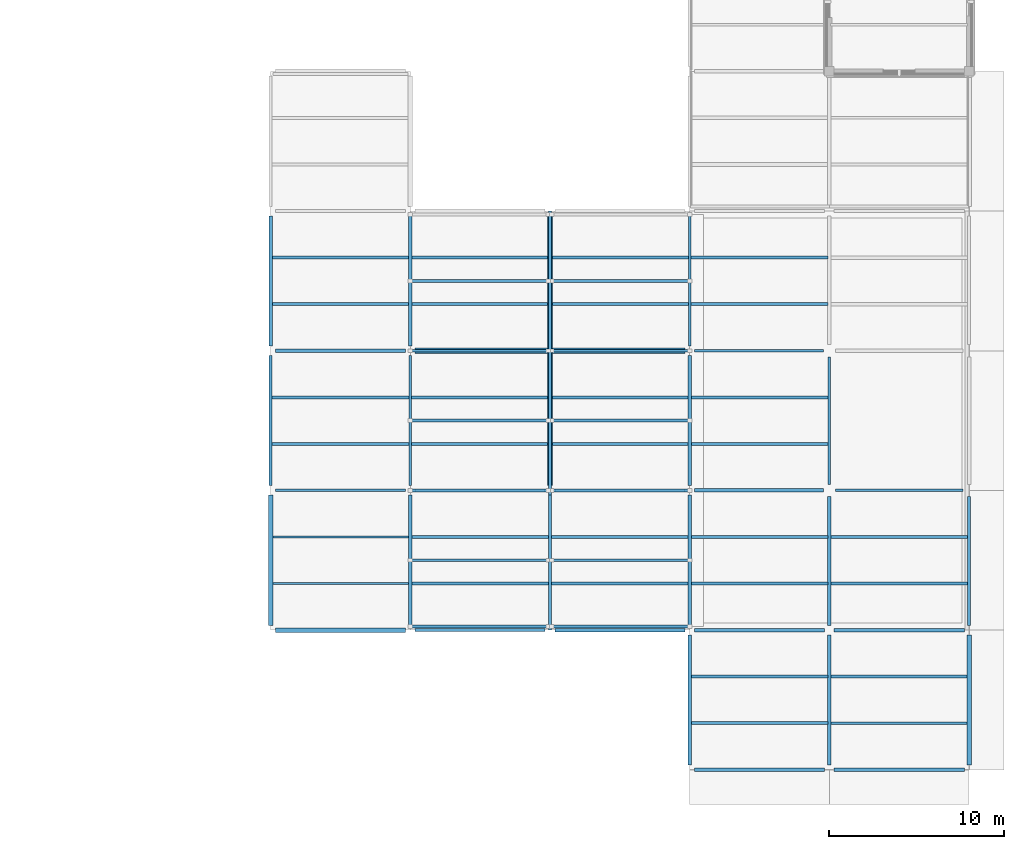
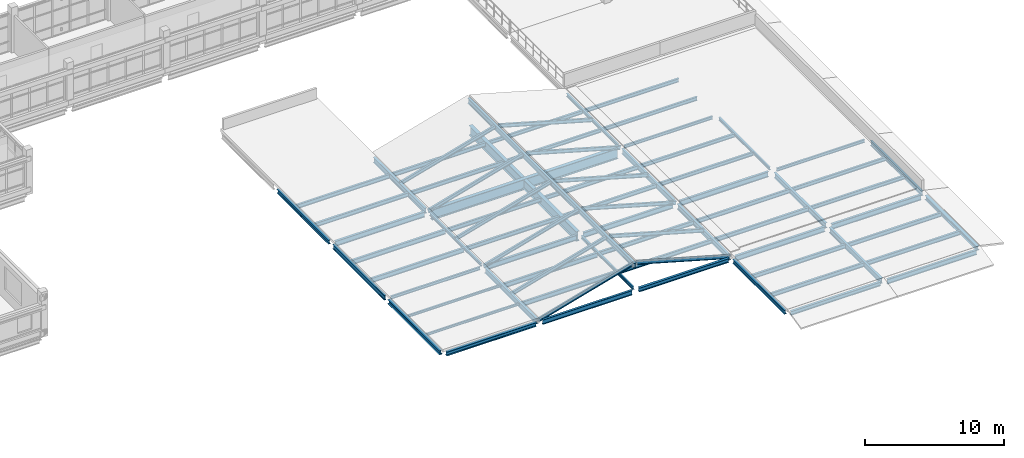
# One storey, part 34 of 92: 63 beams, 12 members.
"""IFC4 building model written with IfcOpenShell, lengths in metres."""

from ifc_helpers import new_model, si_unit, derived_unit, direction, frame, origin, origin_2d, place, context, subcontext, project, spatial, i_section, extrude, material, material_profile, profile_set, type_object, element, save


model = new_model("IFC4")

# Units and contexts
model_context = context("Model", 3, precision=1e-05, world=origin(), true_north=direction((0.0, 1.0)))
body_context = subcontext(model_context, "Body", "Model", "MODEL_VIEW")
ifc_project = project(units=[si_unit("LENGTHUNIT", "METRE"), si_unit("AREAUNIT", "SQUARE_METRE"), si_unit("VOLUMEUNIT", "CUBIC_METRE"), si_unit("PLANEANGLEUNIT", "RADIAN"), si_unit("MASSUNIT", "GRAM", prefix="KILO"), derived_unit("THERMALTRANSMITTANCEUNIT", [(si_unit("MASSUNIT", "GRAM", prefix="KILO"), 1), (si_unit("TIMEUNIT", "SECOND"), -3), (si_unit("THERMODYNAMICTEMPERATUREUNIT", "KELVIN"), -1)])], contexts=[model_context])

# Site, building, storey
site_placement = place(None, origin())
site = spatial("IfcSite", under=ifc_project, at=site_placement, CompositionType="ELEMENT")
building_placement = place(site_placement, origin())
building = spatial("IfcBuilding", under=site, at=building_placement, Name="Veyamyaing Civic Hall", CompositionType="ELEMENT")
storey_placement = place(building_placement, frame((0.0, 0.0, 17.820068359375)))
storey = spatial("IfcBuildingStorey", under=building, at=storey_placement, Name="L04", CompositionType="ELEMENT", Elevation=17.820068359375)

# Beams
ifc_material = material(Name="Steel ASTM A992", Category="steel")
ifc_material_profile_1 = material_profile(ifc_material, i_section(OverallWidth=0.303955078125, OverallDepth=0.923095703125, WebThickness=0.018310546875, FlangeThickness=0.030029296875, FilletRadius=0.01806640625, at=origin_2d()), Name="W920X271")
ifc_profile_set_1 = profile_set([ifc_material_profile_1], Name="Steel ASTM A992")
beam_type_1 = type_object("IfcBeamType", Name="B-01", PredefinedType="BEAM", material=ifc_profile_set_1)
beam_1_placement = place(storey_placement, frame((144.27490234375, 24.0, -0.696533203125), z_axis=(1.0, 0.0, 0.0), x_axis=(0.0, 1.0, 0.0)))
element("IfcBeam", 1, at=beam_1_placement, inside=storey, type_object=beam_type_1, Name="Girder B-01 L04 Grid D 19-21", PredefinedType="BEAM", context=body_context, shape_type="SweptSolid", body=[
    extrude(i_section(OverallWidth=0.303955078125, OverallDepth=0.923095703125, WebThickness=0.018310546875, FlangeThickness=0.030029296875, FilletRadius=0.01806640625, at=origin_2d()), origin(), (0.0, 0.0, 1.0), 15.4501953125),
])
ifc_material_profile_2 = material_profile(ifc_material, i_section(OverallWidth=0.2939453125, OverallDepth=0.85107421875, WebThickness=0.01611328125, FlangeThickness=0.02685546875, FilletRadius=0.01611328125, at=origin_2d()), Name="W840X226")
ifc_profile_set_2 = profile_set([ifc_material_profile_2], Name="Steel ASTM A992")
beam_type_2 = type_object("IfcBeamType", Name="B-02", PredefinedType="BEAM", material=ifc_profile_set_2)
beam_2_placement = place(storey_placement, frame((152.0, 16.27490234375, -0.66064453125), z_axis=(0.0, 1.0, 0.0), x_axis=(-1.0, 0.0, 0.0)))
element("IfcBeam", 2, at=beam_2_placement, inside=storey, type_object=beam_type_2, Name="Girder B-02 L04 Grid 20 C-E", PredefinedType="BEAM", context=body_context, shape_type="SweptSolid", body=[
    extrude(i_section(OverallWidth=0.2939453125, OverallDepth=0.85107421875, WebThickness=0.01611328125, FlangeThickness=0.02685546875, FilletRadius=0.01611328125, at=origin_2d()), origin(), (0.0, 0.0, 1.0), 15.4501953125),
])
ifc_material_profile_3 = material_profile(ifc_material, i_section(OverallWidth=0.19189453125, OverallDepth=0.462890625, WebThickness=0.010498046875, FlangeThickness=0.017578125, FilletRadius=0.010009765625, at=origin_2d()), Name="W460X89")
ifc_profile_set_3 = profile_set([ifc_material_profile_3], Name="Steel ASTM A992")
beam_type_3 = type_object("IfcBeamType", Name="B-08", PredefinedType="BEAM", material=ifc_profile_set_3)
for number, where, z_axis, x_axis, name in (
    (3, (144.27490234375, 16.0, -0.466552734375), (1.0, 0.0, 0.0), (0.0, 1.0, 0.0), "Girder B-08 L04 Grid C 19-20"),
    (4, (136.27490234375, 24.0, -0.4716796875), (1.0, 0.0, 0.0), (0.0, 1.0, 0.0), "Girder B-08 L04 Grid D 18-19"),
    (5, (144.0, 24.27490234375, -0.4716796875), (0.0, 1.0, 0.0), (-1.0, 0.0, 0.0), "Girder B-08 L04 Grid 19 D-E"),
    (6, (160.0, 8.27490234375, -0.4716796875), (0.0, 1.0, 0.0), (-1.0, 0.0, 0.0), "Girder B-08 L04 Grid 21 B-C"),
    (7, (168.0, 0.27490234375, -0.4716796875), (0.0, 1.0, 0.0), (-1.0, 0.0, 0.0), "Girder B-08 L04 Grid 22 A-B"),
):
    element("IfcBeam", number, at=place(storey_placement, frame(where, z_axis=z_axis, x_axis=x_axis)), inside=storey, type_object=beam_type_3, Name=name, PredefinedType="BEAM", context=body_context, shape_type="SweptSolid", body=[
        extrude(i_section(OverallWidth=0.19189453125, OverallDepth=0.462890625, WebThickness=0.010498046875, FlangeThickness=0.017578125, FilletRadius=0.010009765625, at=origin_2d()), origin(), (0.0, 0.0, 1.0), 7.4501953125),
    ])
ifc_material_profile_4 = material_profile(ifc_material, i_section(OverallWidth=0.18994140625, OverallDepth=0.45703125, WebThickness=0.009033203125, FlangeThickness=0.014404296875, FilletRadius=0.010009765625, at=origin_2d()), Name="W460X74")
ifc_profile_set_4 = profile_set([ifc_material_profile_4], Name="Steel ASTM A992")
beam_type_4 = type_object("IfcBeamType", Name="B-09", PredefinedType="BEAM", material=ifc_profile_set_4)
for number, where, z_axis, x_axis, name in (
    (8, (160.27490234375, 8.0, -0.468505859375), (1.0, 0.0, 0.0), (0.0, 1.0, 0.0), "Girder B-09 L04 Grid B 21-22"),
    (9, (152.27490234375, 16.0, -0.463623046875), (1.0, 0.0, 0.0), (0.0, 1.0, 0.0), "Girder B-09 L04 Grid C 20-21"),
    (10, (144.0, 8.27490234375, -0.468505859375), (0.0, 1.0, 0.0), (-1.0, 0.0, 0.0), "Girder B-09 L04 Grid 19 B-C"),
    (11, (160.0, 16.27490234375, -0.468505859375), (0.0, 1.0, 0.0), (-1.0, 0.0, 0.0), "Girder B-09 L04 Grid 21 C-D"),
):
    element("IfcBeam", number, at=place(storey_placement, frame(where, z_axis=z_axis, x_axis=x_axis)), inside=storey, type_object=beam_type_4, Name=name, PredefinedType="BEAM", context=body_context, shape_type="SweptSolid", body=[
        extrude(i_section(OverallWidth=0.18994140625, OverallDepth=0.45703125, WebThickness=0.009033203125, FlangeThickness=0.014404296875, FilletRadius=0.010009765625, at=origin_2d()), origin(), (0.0, 0.0, 1.0), 7.4501953125),
    ])
beam_3_placement = place(storey_placement, frame((168.0, 8.27490234375, -0.468505859375), z_axis=(0.0, 1.0, 0.0), x_axis=(-1.0, 0.0, 0.0)))
element("IfcBeam", 12, at=beam_3_placement, inside=storey, type_object=beam_type_4, Name="Girder B-09 L04 Grid 22 B-C", PredefinedType="BEAM", context=body_context, shape_type="SweptSolid", body=[
    extrude(i_section(OverallWidth=0.18994140625, OverallDepth=0.45703125, WebThickness=0.009033203125, FlangeThickness=0.014404296875, FilletRadius=0.010009765625, at=origin_2d()), origin(), (0.0, 0.0, 1.0), 7.375),
])
beam_4_placement = place(storey_placement, frame((152.0, 8.0, 1.760009765625), z_axis=(0.0, 1.0, 0.0), x_axis=(-1.0, 0.0, 0.0)))
element("IfcBeam", 13, at=beam_4_placement, inside=storey, type_object=beam_type_4, Name="Members Library Roof Ridge Beam B-09", PredefinedType="BEAM", context=body_context, shape_type="SweptSolid", body=[
    extrude(i_section(OverallWidth=0.18994140625, OverallDepth=0.45703125, WebThickness=0.009033203125, FlangeThickness=0.014404296875, FilletRadius=0.010009765625, at=origin_2d()), origin(), (0.0, 0.0, 1.0), 24.0),
])
ifc_material_profile_5 = material_profile(ifc_material, i_section(OverallWidth=0.179931640625, OverallDepth=0.4130859375, WebThickness=0.009765625, FlangeThickness=0.01611328125, FilletRadius=0.010009765625, at=origin_2d()), Name="W410X74")
ifc_profile_set_5 = profile_set([ifc_material_profile_5], Name="Steel ASTM A992")
beam_type_5 = type_object("IfcBeamType", Name="B-10", PredefinedType="SPANDREL", material=ifc_profile_set_5)
for number, where, z_axis, x_axis, name in (
    (14, (144.27490234375, 8.0, -0.441650390625), (1.0, 0.0, 0.0), (0.0, 1.0, 0.0), "Girder B-10 L04 Grid B 19-20"),
    (15, (136.0, 16.27490234375, -0.446533203125), (0.0, 1.0, 0.0), (-1.0, 0.0, 0.0), "Girder B-10 L04 Grid 18 C-D"),
):
    element("IfcBeam", number, at=place(storey_placement, frame(where, z_axis=z_axis, x_axis=x_axis)), inside=storey, type_object=beam_type_5, Name=name, PredefinedType="SPANDREL", context=body_context, shape_type="SweptSolid", body=[
        extrude(i_section(OverallWidth=0.179931640625, OverallDepth=0.4130859375, WebThickness=0.009765625, FlangeThickness=0.01611328125, FilletRadius=0.010009765625, at=origin_2d()), origin(), (0.0, 0.0, 1.0), 7.4501953125),
    ])
beam_5_placement = place(storey_placement, frame((176.0, 8.27490234375, -0.446533203125), z_axis=(0.0, 1.0, 0.0), x_axis=(-1.0, 0.0, 0.0)))
element("IfcBeam", 16, at=beam_5_placement, inside=storey, type_object=beam_type_5, Name="Girder B-10 L04 Grid 23 B-C", PredefinedType="SPANDREL", context=body_context, shape_type="SweptSolid", body=[
    extrude(i_section(OverallWidth=0.179931640625, OverallDepth=0.4130859375, WebThickness=0.009765625, FlangeThickness=0.01611328125, FilletRadius=0.010009765625, at=origin_2d()), origin(), (0.0, 0.0, 1.0), 7.375),
])
ifc_material_profile_6 = material_profile(ifc_material, i_section(OverallWidth=0.2041015625, OverallDepth=0.35009765625, WebThickness=0.0078125, FlangeThickness=0.01513671875, FilletRadius=0.010009765625, at=origin_2d()), Name="W360X72")
ifc_profile_set_6 = profile_set([ifc_material_profile_6], Name="Steel ASTM A992")
beam_type_6 = type_object("IfcBeamType", Name="B-11", PredefinedType="SPANDREL", material=ifc_profile_set_6)
for number, where, z_axis, x_axis, name in (
    (17, (160.27490234375, 0.0, -0.4150390625), (1.0, 0.0, 0.0), (0.0, 1.0, 0.0), "Girder B-11 L04 Grid A 21-22"),
    (18, (152.27490234375, 8.0, -0.41015625), (1.0, 0.0, 0.0), (0.0, 1.0, 0.0), "Girder B-11 L04 Grid B 20-21"),
    (19, (136.0, 24.27490234375, -0.4150390625), (0.0, 1.0, 0.0), (-1.0, 0.0, 0.0), "Girder B-11 L04 Grid 18 D-E"),
    (20, (160.0, 0.27490234375, -0.4150390625), (0.0, 1.0, 0.0), (-1.0, 0.0, 0.0), "Girder B-11 L04 Grid 21 A-B"),
):
    element("IfcBeam", number, at=place(storey_placement, frame(where, z_axis=z_axis, x_axis=x_axis)), inside=storey, type_object=beam_type_6, Name=name, PredefinedType="SPANDREL", context=body_context, shape_type="SweptSolid", body=[
        extrude(i_section(OverallWidth=0.2041015625, OverallDepth=0.35009765625, WebThickness=0.0078125, FlangeThickness=0.01513671875, FilletRadius=0.010009765625, at=origin_2d()), origin(), (0.0, 0.0, 1.0), 7.4501953125),
    ])
ifc_material_profile_7 = material_profile(ifc_material, i_section(OverallWidth=0.14599609375, OverallDepth=0.258056640625, WebThickness=0.006103515625, FlangeThickness=0.009033203125, FilletRadius=0.010009765625, at=origin_2d()), Name="W250X33")
ifc_profile_set_7 = profile_set([ifc_material_profile_7], Name="Steel ASTM A992")
beam_type_7 = type_object("IfcBeamType", Name="B-12", PredefinedType="BEAM", material=ifc_profile_set_7)
beam_6_placement = place(storey_placement, frame((136.27490234375, 16.0, -0.369140625), z_axis=(1.0, 0.0, 0.0), x_axis=(0.0, 1.0, 0.0)))
element("IfcBeam", 21, at=beam_6_placement, inside=storey, type_object=beam_type_7, Name="Girder B-12 L04 Grid C 18-19", PredefinedType="BEAM", context=body_context, shape_type="SweptSolid", body=[
    extrude(i_section(OverallWidth=0.14599609375, OverallDepth=0.258056640625, WebThickness=0.006103515625, FlangeThickness=0.009033203125, FilletRadius=0.010009765625, at=origin_2d()), origin(), (0.0, 0.0, 1.0), 7.4501953125),
])
beam_7_placement = place(storey_placement, frame((168.35009765625, 16.0, -0.369140625), z_axis=(1.0, 0.0, 0.0), x_axis=(0.0, 1.0, 0.0)))
element("IfcBeam", 22, at=beam_7_placement, inside=storey, type_object=beam_type_7, Name="Girder B-12 L04 Grid C 22-23", PredefinedType="BEAM", context=body_context, shape_type="SweptSolid", body=[
    extrude(i_section(OverallWidth=0.14599609375, OverallDepth=0.258056640625, WebThickness=0.006103515625, FlangeThickness=0.009033203125, FilletRadius=0.010009765625, at=origin_2d()), origin(), (0.0, 0.0, 1.0), 7.2998046875),
])
beam_8_placement = place(storey_placement, frame((160.27490234375, 24.0, -0.369140625), z_axis=(1.0, 0.0, 0.0), x_axis=(0.0, 1.0, 0.0)))
element("IfcBeam", 23, at=beam_8_placement, inside=storey, type_object=beam_type_7, Name="Girder B-12 L04 Grid D 21-22", PredefinedType="BEAM", context=body_context, shape_type="SweptSolid", body=[
    extrude(i_section(OverallWidth=0.14599609375, OverallDepth=0.258056640625, WebThickness=0.006103515625, FlangeThickness=0.009033203125, FilletRadius=0.010009765625, at=origin_2d()), origin(), (0.0, 0.0, 1.0), 7.375),
])
for number, where, z_axis, x_axis, name in (
    (24, (144.0, 16.27490234375, -0.369140625), (0.0, 1.0, 0.0), (-1.0, 0.0, 0.0), "Girder B-12 L04 Grid 19 C-D"),
    (25, (152.0, 8.27490234375, -0.364013671875), (0.0, 1.0, 0.0), (-1.0, 0.0, 0.0), "Girder B-12 L04 Grid 20 B-C"),
    (26, (160.0, 24.27490234375, -0.369140625), (0.0, 1.0, 0.0), (-1.0, 0.0, 0.0), "Girder B-12 L04 Grid 21 D-E"),
):
    element("IfcBeam", number, at=place(storey_placement, frame(where, z_axis=z_axis, x_axis=x_axis)), inside=storey, type_object=beam_type_7, Name=name, PredefinedType="BEAM", context=body_context, shape_type="SweptSolid", body=[
        extrude(i_section(OverallWidth=0.14599609375, OverallDepth=0.258056640625, WebThickness=0.006103515625, FlangeThickness=0.009033203125, FilletRadius=0.010009765625, at=origin_2d()), origin(), (0.0, 0.0, 1.0), 7.4501953125),
    ])
beam_9_placement = place(storey_placement, frame((168.0, 16.35009765625, -0.369140625), z_axis=(0.0, 1.0, 0.0), x_axis=(-1.0, 0.0, 0.0)))
element("IfcBeam", 27, at=beam_9_placement, inside=storey, type_object=beam_type_7, Name="Girder B-12 L04 Grid 22 C-D", PredefinedType="BEAM", context=body_context, shape_type="SweptSolid", body=[
    extrude(i_section(OverallWidth=0.14599609375, OverallDepth=0.258056640625, WebThickness=0.006103515625, FlangeThickness=0.009033203125, FilletRadius=0.010009765625, at=origin_2d()), origin(), (0.0, 0.0, 1.0), 7.2998046875),
])
ifc_material_profile_8 = material_profile(ifc_material, i_section(OverallWidth=0.194091796875, OverallDepth=0.468994140625, WebThickness=0.0126953125, FlangeThickness=0.0205078125, FilletRadius=0.010009765625, at=origin_2d()), Name="W460X106")
ifc_profile_set_8 = profile_set([ifc_material_profile_8], Name="Steel ASTM A992")
beam_type_8 = type_object("IfcBeamType", Name="B-18", PredefinedType="BEAM", material=ifc_profile_set_8)
beam_10_placement = place(storey_placement, frame((168.27490234375, 8.0, -0.474609375), z_axis=(1.0, 0.0, 0.0), x_axis=(0.0, 1.0, 0.0)))
element("IfcBeam", 28, at=beam_10_placement, inside=storey, type_object=beam_type_8, Name="Girder B-18 L04 Grid B 22-23", PredefinedType="BEAM", context=body_context, shape_type="SweptSolid", body=[
    extrude(i_section(OverallWidth=0.194091796875, OverallDepth=0.468994140625, WebThickness=0.0126953125, FlangeThickness=0.0205078125, FilletRadius=0.010009765625, at=origin_2d()), origin(), (0.0, 0.0, 1.0), 7.4501953125),
])
beam_11_placement = place(storey_placement, frame((160.27490234375, 16.0, -0.474609375), z_axis=(1.0, 0.0, 0.0), x_axis=(0.0, 1.0, 0.0)))
element("IfcBeam", 29, at=beam_11_placement, inside=storey, type_object=beam_type_8, Name="Girder B-18 L04 Grid C 21-22", PredefinedType="BEAM", context=body_context, shape_type="SweptSolid", body=[
    extrude(i_section(OverallWidth=0.194091796875, OverallDepth=0.468994140625, WebThickness=0.0126953125, FlangeThickness=0.0205078125, FilletRadius=0.010009765625, at=origin_2d()), origin(), (0.0, 0.0, 1.0), 7.375),
])
ifc_material_profile_9 = material_profile(ifc_material, i_section(OverallWidth=0.180908203125, OverallDepth=0.4169921875, WebThickness=0.010986328125, FlangeThickness=0.018310546875, FilletRadius=0.010009765625, at=origin_2d()), Name="W410X85")
ifc_profile_set_9 = profile_set([ifc_material_profile_9], Name="Steel ASTM A992")
beam_type_9 = type_object("IfcBeamType", Name="B-19", PredefinedType="SPANDREL", material=ifc_profile_set_9)
beam_12_placement = place(storey_placement, frame((168.27490234375, 0.0, -0.448486328125), z_axis=(1.0, 0.0, 0.0), x_axis=(0.0, 1.0, 0.0)))
element("IfcBeam", 30, at=beam_12_placement, inside=storey, type_object=beam_type_9, Name="Girder B-19 L04 Grid A 22-23", PredefinedType="SPANDREL", context=body_context, shape_type="SweptSolid", body=[
    extrude(i_section(OverallWidth=0.180908203125, OverallDepth=0.4169921875, WebThickness=0.010986328125, FlangeThickness=0.018310546875, FilletRadius=0.010009765625, at=origin_2d()), origin(), (0.0, 0.0, 1.0), 7.4501953125),
])
ifc_material_profile_10 = material_profile(ifc_material, i_section(OverallWidth=0.25390625, OverallDepth=0.35302734375, WebThickness=0.009521484375, FlangeThickness=0.016357421875, FilletRadius=0.011962890625, at=origin_2d()), Name="W360X91")
ifc_profile_set_10 = profile_set([ifc_material_profile_10], Name="Steel ASTM A992")
beam_type_10 = type_object("IfcBeamType", Name="B-20", PredefinedType="SPANDREL", material=ifc_profile_set_10)
for number, where, z_axis, x_axis, name in (
    (31, (136.27490234375, 8.0, -0.41650390625), (1.0, 0.0, 0.0), (0.0, 1.0, 0.0), "Girder B-20 L04 Grid B 18-19"),
    (32, (136.0, 8.27490234375, -0.41650390625), (0.0, 1.0, 0.0), (-1.0, 0.0, 0.0), "Girder B-20 L04 Grid 18 B-C"),
    (33, (176.0, 0.27490234375, -0.41650390625), (0.0, 1.0, 0.0), (-1.0, 0.0, 0.0), "Girder B-20 L04 Grid 23 A-B"),
):
    element("IfcBeam", number, at=place(storey_placement, frame(where, z_axis=z_axis, x_axis=x_axis)), inside=storey, type_object=beam_type_10, Name=name, PredefinedType="SPANDREL", context=body_context, shape_type="SweptSolid", body=[
        extrude(i_section(OverallWidth=0.25390625, OverallDepth=0.35302734375, WebThickness=0.009521484375, FlangeThickness=0.016357421875, FilletRadius=0.011962890625, at=origin_2d()), origin(), (0.0, 0.0, 1.0), 7.4501953125),
    ])
ifc_material_profile_11 = material_profile(ifc_material, i_section(OverallWidth=0.177978515625, OverallDepth=0.406982421875, WebThickness=0.0078125, FlangeThickness=0.0126953125, FilletRadius=0.010009765625, at=origin_2d()), Name="W410X60")
ifc_profile_set_11 = profile_set([ifc_material_profile_11], Name="Steel ASTM A992")
beam_type_11 = type_object("IfcBeamType", Name="J-01", PredefinedType="JOIST", material=ifc_profile_set_11)
for number, where, z_axis, x_axis, name in (
    (34, (136.087890625, 18.666748046875, -0.443603515625), (1.0, 0.0, 0.0), (0.0, 1.0, 0.0), "Composite floor joist J-01 L04 18.3.1"),
    (35, (136.087890625, 21.333251953125, -0.443603515625), (1.0, 0.0, 0.0), (0.0, 1.0, 0.0), "Composite floor joist J-01 L04 18.3.2"),
):
    element("IfcBeam", number, at=place(storey_placement, frame(where, z_axis=z_axis, x_axis=x_axis)), inside=storey, type_object=beam_type_11, Name=name, PredefinedType="JOIST", context=body_context, shape_type="SweptSolid", body=[
        extrude(i_section(OverallWidth=0.177978515625, OverallDepth=0.406982421875, WebThickness=0.0078125, FlangeThickness=0.0126953125, FilletRadius=0.010009765625, at=origin_2d()), origin(), (0.0, 0.0, 1.0), 7.841064453125),
    ])
for number, where, z_axis, x_axis, name in (
    (36, (144.093017578125, 10.666748046875, -0.443603515625), (1.0, 0.0, 0.0), (0.0, 1.0, 0.0), "Composite floor joist J-01 L04 19.2.1"),
    (37, (144.093017578125, 13.333251953125, -0.443603515625), (1.0, 0.0, 0.0), (0.0, 1.0, 0.0), "Composite floor joist J-01 L04 19.2.2"),
):
    element("IfcBeam", number, at=place(storey_placement, frame(where, z_axis=z_axis, x_axis=x_axis)), inside=storey, type_object=beam_type_11, Name=name, PredefinedType="JOIST", context=body_context, shape_type="SweptSolid", body=[
        extrude(i_section(OverallWidth=0.177978515625, OverallDepth=0.406982421875, WebThickness=0.0078125, FlangeThickness=0.0126953125, FilletRadius=0.010009765625, at=origin_2d()), origin(), (0.0, 0.0, 1.0), 7.8359375),
    ])
ifc_material_profile_12 = material_profile(ifc_material, i_section(OverallWidth=0.172119140625, OverallDepth=0.35791015625, WebThickness=0.0078125, FlangeThickness=0.01318359375, FilletRadius=0.010009765625, at=origin_2d()), Name="W360X57")
ifc_profile_set_12 = profile_set([ifc_material_profile_12], Name="Steel ASTM A992")
beam_type_12 = type_object("IfcBeamType", Name="J-02", PredefinedType="JOIST", material=ifc_profile_set_12)
for number, where, z_axis, x_axis, name in (
    (38, (136.10009765625, 26.666748046875, -0.419189453125), (1.0, 0.0, 0.0), (0.0, 1.0, 0.0), "Composite floor joist J-02 L04 18.4.1"),
    (39, (136.10009765625, 29.333251953125, -0.419189453125), (1.0, 0.0, 0.0), (0.0, 1.0, 0.0), "Composite floor joist J-02 L04 18.4.2"),
):
    element("IfcBeam", number, at=place(storey_placement, frame(where, z_axis=z_axis, x_axis=x_axis)), inside=storey, type_object=beam_type_12, Name=name, PredefinedType="JOIST", context=body_context, shape_type="SweptSolid", body=[
        extrude(i_section(OverallWidth=0.172119140625, OverallDepth=0.35791015625, WebThickness=0.0078125, FlangeThickness=0.01318359375, FilletRadius=0.010009765625, at=origin_2d()), origin(), (0.0, 0.0, 1.0), 7.805908203125),
    ])
for number, where, z_axis, x_axis, name in (
    (40, (144.071044921875, 18.666748046875, -0.419189453125), (1.0, 0.0, 0.0), (0.0, 1.0, 0.0), "Composite floor joist J-02 L04 19.3.1"),
    (41, (144.071044921875, 21.333251953125, -0.419189453125), (1.0, 0.0, 0.0), (0.0, 1.0, 0.0), "Composite floor joist J-02 L04 19.3.2"),
):
    element("IfcBeam", number, at=place(storey_placement, frame(where, z_axis=z_axis, x_axis=x_axis)), inside=storey, type_object=beam_type_12, Name=name, PredefinedType="JOIST", context=body_context, shape_type="SweptSolid", body=[
        extrude(i_section(OverallWidth=0.172119140625, OverallDepth=0.35791015625, WebThickness=0.0078125, FlangeThickness=0.01318359375, FilletRadius=0.010009765625, at=origin_2d()), origin(), (0.0, 0.0, 1.0), 7.783935546875),
    ])
for number, where, z_axis, x_axis, name in (
    (42, (152.071044921875, 10.666748046875, -0.419189453125), (1.0, 0.0, 0.0), (0.0, 1.0, 0.0), "Composite floor joist J-02 L04 20.2.1"),
    (43, (152.071044921875, 13.333251953125, -0.419189453125), (1.0, 0.0, 0.0), (0.0, 1.0, 0.0), "Composite floor joist J-02 L04 20.2.2"),
):
    element("IfcBeam", number, at=place(storey_placement, frame(where, z_axis=z_axis, x_axis=x_axis)), inside=storey, type_object=beam_type_12, Name=name, PredefinedType="JOIST", context=body_context, shape_type="SweptSolid", body=[
        extrude(i_section(OverallWidth=0.172119140625, OverallDepth=0.35791015625, WebThickness=0.0078125, FlangeThickness=0.01318359375, FilletRadius=0.010009765625, at=origin_2d()), origin(), (0.0, 0.0, 1.0), 7.8349609375),
    ])
for number, where, z_axis, x_axis, name in (
    (44, (160.10009765625, 2.666748046875, -0.419189453125), (1.0, 0.0, 0.0), (0.0, 1.0, 0.0), "Composite floor joist J-02 L04 21.1.1"),
    (45, (160.10009765625, 5.333251953125, -0.419189453125), (1.0, 0.0, 0.0), (0.0, 1.0, 0.0), "Composite floor joist J-02 L04 21.1.2"),
):
    element("IfcBeam", number, at=place(storey_placement, frame(where, z_axis=z_axis, x_axis=x_axis)), inside=storey, type_object=beam_type_12, Name=name, PredefinedType="JOIST", context=body_context, shape_type="SweptSolid", body=[
        extrude(i_section(OverallWidth=0.172119140625, OverallDepth=0.35791015625, WebThickness=0.0078125, FlangeThickness=0.01318359375, FilletRadius=0.010009765625, at=origin_2d()), origin(), (0.0, 0.0, 1.0), 7.805908203125),
    ])
ifc_material_profile_13 = material_profile(ifc_material, i_section(OverallWidth=0.1708984375, OverallDepth=0.35205078125, WebThickness=0.0068359375, FlangeThickness=0.009765625, FilletRadius=0.010009765625, at=origin_2d()), Name="W360X44")
ifc_profile_set_13 = profile_set([ifc_material_profile_13], Name="Steel ASTM A992")
beam_type_13 = type_object("IfcBeamType", Name="J-03", PredefinedType="JOIST", material=ifc_profile_set_13)
for number, where, z_axis, x_axis, name in (
    (46, (144.093994140625, 26.666748046875, -0.416015625), (1.0, 0.0, 0.0), (0.0, 1.0, 0.0), "Composite floor joist J-03 L04 19.4.1"),
    (47, (144.093994140625, 29.333251953125, -0.416015625), (1.0, 0.0, 0.0), (0.0, 1.0, 0.0), "Composite floor joist J-03 L04 19.4.2"),
):
    element("IfcBeam", number, at=place(storey_placement, frame(where, z_axis=z_axis, x_axis=x_axis)), inside=storey, type_object=beam_type_13, Name=name, PredefinedType="JOIST", context=body_context, shape_type="SweptSolid", body=[
        extrude(i_section(OverallWidth=0.1708984375, OverallDepth=0.35205078125, WebThickness=0.0068359375, FlangeThickness=0.009765625, FilletRadius=0.010009765625, at=origin_2d()), origin(), (0.0, 0.0, 1.0), 7.760986328125),
    ])
for number, where, z_axis, x_axis, name in (
    (48, (152.14501953125, 18.666748046875, -0.416015625), (1.0, 0.0, 0.0), (0.0, 1.0, 0.0), "Composite floor joist J-03 L04 20.3.1"),
    (49, (152.14501953125, 21.333251953125, -0.416015625), (1.0, 0.0, 0.0), (0.0, 1.0, 0.0), "Composite floor joist J-03 L04 20.3.2"),
):
    element("IfcBeam", number, at=place(storey_placement, frame(where, z_axis=z_axis, x_axis=x_axis)), inside=storey, type_object=beam_type_13, Name=name, PredefinedType="JOIST", context=body_context, shape_type="SweptSolid", body=[
        extrude(i_section(OverallWidth=0.1708984375, OverallDepth=0.35205078125, WebThickness=0.0068359375, FlangeThickness=0.009765625, FilletRadius=0.010009765625, at=origin_2d()), origin(), (0.0, 0.0, 1.0), 7.761962890625),
    ])
for number, where, z_axis, x_axis, name in (
    (50, (160.093994140625, 10.666748046875, -0.416015625), (1.0, 0.0, 0.0), (0.0, 1.0, 0.0), "Composite floor joist J-03 L04 21.2.1"),
    (51, (160.093994140625, 13.333251953125, -0.416015625), (1.0, 0.0, 0.0), (0.0, 1.0, 0.0), "Composite floor joist J-03 L04 21.2.2"),
):
    element("IfcBeam", number, at=place(storey_placement, frame(where, z_axis=z_axis, x_axis=x_axis)), inside=storey, type_object=beam_type_13, Name=name, PredefinedType="JOIST", context=body_context, shape_type="SweptSolid", body=[
        extrude(i_section(OverallWidth=0.1708984375, OverallDepth=0.35205078125, WebThickness=0.0068359375, FlangeThickness=0.009765625, FilletRadius=0.010009765625, at=origin_2d()), origin(), (0.0, 0.0, 1.0), 7.81298828125),
    ])
for number, where, z_axis, x_axis, name in (
    (52, (168.093994140625, 2.666748046875, -0.416015625), (1.0, 0.0, 0.0), (0.0, 1.0, 0.0), "Composite floor joist J-03 L04 22.1.1"),
    (53, (168.093994140625, 5.333251953125, -0.416015625), (1.0, 0.0, 0.0), (0.0, 1.0, 0.0), "Composite floor joist J-03 L04 22.1.2"),
):
    element("IfcBeam", number, at=place(storey_placement, frame(where, z_axis=z_axis, x_axis=x_axis)), inside=storey, type_object=beam_type_13, Name=name, PredefinedType="JOIST", context=body_context, shape_type="SweptSolid", body=[
        extrude(i_section(OverallWidth=0.1708984375, OverallDepth=0.35205078125, WebThickness=0.0068359375, FlangeThickness=0.009765625, FilletRadius=0.010009765625, at=origin_2d()), origin(), (0.0, 0.0, 1.0), 7.781005859375),
    ])
ifc_material_profile_14 = material_profile(ifc_material, i_section(OverallWidth=0.1669921875, OverallDepth=0.318115234375, WebThickness=0.007568359375, FlangeThickness=0.01318359375, FilletRadius=0.010009765625, at=origin_2d()), Name="W310X52")
ifc_profile_set_14 = profile_set([ifc_material_profile_14], Name="Steel ASTM A992")
beam_type_14 = type_object("IfcBeamType", Name="J-04", PredefinedType="JOIST", material=ifc_profile_set_14)
for number, where, z_axis, x_axis, name in (
    (54, (152.14501953125, 26.666748046875, -0.399169921875), (1.0, 0.0, 0.0), (0.0, 1.0, 0.0), "Composite floor joist J-04 L04 20.4.1"),
    (55, (152.14501953125, 29.333251953125, -0.399169921875), (1.0, 0.0, 0.0), (0.0, 1.0, 0.0), "Composite floor joist J-04 L04 20.4.2"),
):
    element("IfcBeam", number, at=place(storey_placement, frame(where, z_axis=z_axis, x_axis=x_axis)), inside=storey, type_object=beam_type_14, Name=name, PredefinedType="JOIST", context=body_context, shape_type="SweptSolid", body=[
        extrude(i_section(OverallWidth=0.1669921875, OverallDepth=0.318115234375, WebThickness=0.007568359375, FlangeThickness=0.01318359375, FilletRadius=0.010009765625, at=origin_2d()), origin(), (0.0, 0.0, 1.0), 7.783935546875),
    ])
for number, where, z_axis, x_axis, name in (
    (56, (160.093017578125, 18.666748046875, -0.399169921875), (1.0, 0.0, 0.0), (0.0, 1.0, 0.0), "Composite floor joist J-04 L04 21.3.1"),
    (57, (160.093017578125, 21.333251953125, -0.399169921875), (1.0, 0.0, 0.0), (0.0, 1.0, 0.0), "Composite floor joist J-04 L04 21.3.2"),
):
    element("IfcBeam", number, at=place(storey_placement, frame(where, z_axis=z_axis, x_axis=x_axis)), inside=storey, type_object=beam_type_14, Name=name, PredefinedType="JOIST", context=body_context, shape_type="SweptSolid", body=[
        extrude(i_section(OverallWidth=0.1669921875, OverallDepth=0.318115234375, WebThickness=0.007568359375, FlangeThickness=0.01318359375, FilletRadius=0.010009765625, at=origin_2d()), origin(), (0.0, 0.0, 1.0), 7.8359375),
    ])
for number, where, z_axis, x_axis, name in (
    (58, (168.093017578125, 10.666748046875, -0.399169921875), (1.0, 0.0, 0.0), (0.0, 1.0, 0.0), "Composite floor joist J-04 L04 22.2.1"),
    (59, (168.093017578125, 13.333251953125, -0.399169921875), (1.0, 0.0, 0.0), (0.0, 1.0, 0.0), "Composite floor joist J-04 L04 22.2.2"),
):
    element("IfcBeam", number, at=place(storey_placement, frame(where, z_axis=z_axis, x_axis=x_axis)), inside=storey, type_object=beam_type_14, Name=name, PredefinedType="JOIST", context=body_context, shape_type="SweptSolid", body=[
        extrude(i_section(OverallWidth=0.1669921875, OverallDepth=0.318115234375, WebThickness=0.007568359375, FlangeThickness=0.01318359375, FilletRadius=0.010009765625, at=origin_2d()), origin(), (0.0, 0.0, 1.0), 7.819091796875),
    ])
ifc_material_profile_15 = material_profile(ifc_material, i_section(OverallWidth=0.1650390625, OverallDepth=0.31005859375, WebThickness=0.005859375, FlangeThickness=0.009765625, FilletRadius=0.010009765625, at=origin_2d()), Name="W310X39")
ifc_profile_set_15 = profile_set([ifc_material_profile_15], Name="Steel ASTM A992")
beam_type_15 = type_object("IfcBeamType", Name="J-05", PredefinedType="JOIST", material=ifc_profile_set_15)
for number, where, z_axis, x_axis, name in (
    (60, (160.071044921875, 26.666748046875, -0.39501953125), (1.0, 0.0, 0.0), (0.0, 1.0, 0.0), "Composite floor joist J-05 L04 21.4.1"),
    (61, (160.071044921875, 29.333251953125, -0.39501953125), (1.0, 0.0, 0.0), (0.0, 1.0, 0.0), "Composite floor joist J-05 L04 21.4.2"),
):
    element("IfcBeam", number, at=place(storey_placement, frame(where, z_axis=z_axis, x_axis=x_axis)), inside=storey, type_object=beam_type_15, Name=name, PredefinedType="JOIST", context=body_context, shape_type="SweptSolid", body=[
        extrude(i_section(OverallWidth=0.1650390625, OverallDepth=0.31005859375, WebThickness=0.005859375, FlangeThickness=0.009765625, FilletRadius=0.010009765625, at=origin_2d()), origin(), (0.0, 0.0, 1.0), 7.8349609375),
    ])
ifc_material_profile_16 = material_profile(ifc_material, i_section(OverallWidth=0.133056640625, OverallDepth=0.20703125, WebThickness=0.005859375, FlangeThickness=0.00830078125, FilletRadius=0.010009765625, at=origin_2d()), Name="W200X27")
ifc_profile_set_16 = profile_set([ifc_material_profile_16], Name="Steel ASTM A992")
beam_type_16 = type_object("IfcBeamType", Name="J-08", PredefinedType="JOIST", material=ifc_profile_set_16)
for number, where, z_axis, x_axis, name in (
    (62, (136.125, 10.666748046875, -0.343505859375), (1.0, 0.0, 0.0), (0.0, 1.0, 0.0), "Composite floor joist J-08 L04 18.2.1"),
    (63, (136.125, 13.333251953125, -0.343505859375), (1.0, 0.0, 0.0), (0.0, 1.0, 0.0), "Composite floor joist J-08 L04 18.2.2"),
):
    element("IfcBeam", number, at=place(storey_placement, frame(where, z_axis=z_axis, x_axis=x_axis)), inside=storey, type_object=beam_type_16, Name=name, PredefinedType="JOIST", context=body_context, shape_type="SweptSolid", body=[
        extrude(i_section(OverallWidth=0.133056640625, OverallDepth=0.20703125, WebThickness=0.005859375, FlangeThickness=0.00830078125, FilletRadius=0.010009765625, at=origin_2d()), origin(), (0.0, 0.0, 1.0), 7.781982421875),
    ])

# Members
ifc_material_profile_17 = material_profile(ifc_material, i_section(OverallWidth=0.1650390625, OverallDepth=0.31005859375, WebThickness=0.005859375, FlangeThickness=0.009765625, FilletRadius=0.010009765625, at=origin_2d()), Name="W310X39")
ifc_profile_set_17 = profile_set([ifc_material_profile_17], Name="Steel ASTM A992")
member_type = type_object("IfcMemberType", Name="RF-02", PredefinedType="RAFTER", material=ifc_profile_set_17)
for number, where, z_axis, x_axis, name in (
    (64, (144.0, 8.199951171875, -0.330078125), (0.962072900716, 0.0, 0.272792473702), (0.0, 1.0, 0.0), "Members Library Roof Rafter RF-02 W.1"),
    (65, (160.0, 8.199951171875, -0.330078125), (-0.962072900716, 0.0, 0.272792473702), (0.0, -1.0, 0.0), "Members Library Roof Rafter RF-02 E.1"),
    (66, (144.0, 12.0, -0.330078125), (0.962072900716, 0.0, 0.272792473702), (0.0, 1.0, 0.0), "Members Library Roof Rafter RF-02 W.2"),
    (67, (160.0, 12.0, -0.330078125), (-0.962072900716, 0.0, 0.272792473702), (0.0, -1.0, 0.0), "Members Library Roof Rafter RF-02 E.2"),
    (68, (144.0, 16.0, -0.330078125), (0.962072900716, 0.0, 0.272792473702), (0.0, 1.0, 0.0), "Members Library Roof Rafter RF-02 W.3"),
    (69, (160.0, 16.0, -0.330078125), (-0.962072900716, 0.0, 0.272792473702), (0.0, -1.0, 0.0), "Members Library Roof Rafter RF-02 E.3"),
    (70, (144.0, 20.0, -0.330078125), (0.962072900716, 0.0, 0.272792473702), (0.0, 1.0, 0.0), "Members Library Roof Rafter RF-02 W.4"),
    (71, (160.0, 20.0, -0.330078125), (-0.962072900716, 0.0, 0.272792473702), (0.0, -1.0, 0.0), "Members Library Roof Rafter RF-02 E.4"),
    (72, (144.0, 24.0, -0.330078125), (0.962072900716, 0.0, 0.272792473702), (0.0, 1.0, 0.0), "Members Library Roof Rafter RF-02 W.5"),
    (73, (160.0, 24.0, -0.330078125), (-0.962072900716, 0.0, 0.272792473702), (0.0, -1.0, 0.0), "Members Library Roof Rafter RF-02 E.5"),
    (74, (144.0, 28.0, -0.330078125), (0.962072900716, 0.0, 0.272792473702), (0.0, 1.0, 0.0), "Members Library Roof Rafter RF-02 W.6"),
    (75, (160.0, 28.0, -0.330078125), (-0.962072900716, 0.0, 0.272792473702), (0.0, -1.0, 0.0), "Members Library Roof Rafter RF-02 E.6"),
):
    element("IfcMember", number, at=place(storey_placement, frame(where, z_axis=z_axis, x_axis=x_axis)), inside=storey, type_object=member_type, Name=name, PredefinedType="RAFTER", context=body_context, shape_type="SweptSolid", body=[
        extrude(i_section(OverallWidth=0.1650390625, OverallDepth=0.31005859375, WebThickness=0.005859375, FlangeThickness=0.009765625, FilletRadius=0.010009765625, at=origin_2d()), origin(), (0.0, 0.0, 1.0), 8.21142578125),
    ])

save(model, "model.ifc")
